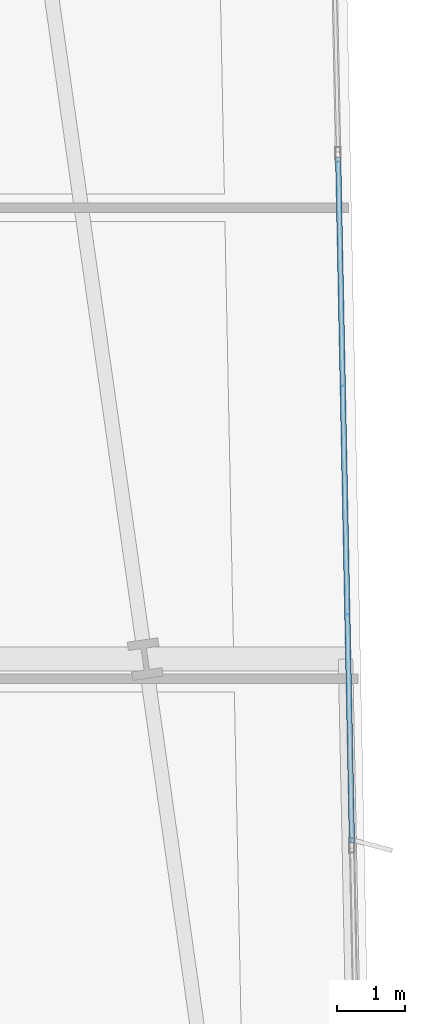
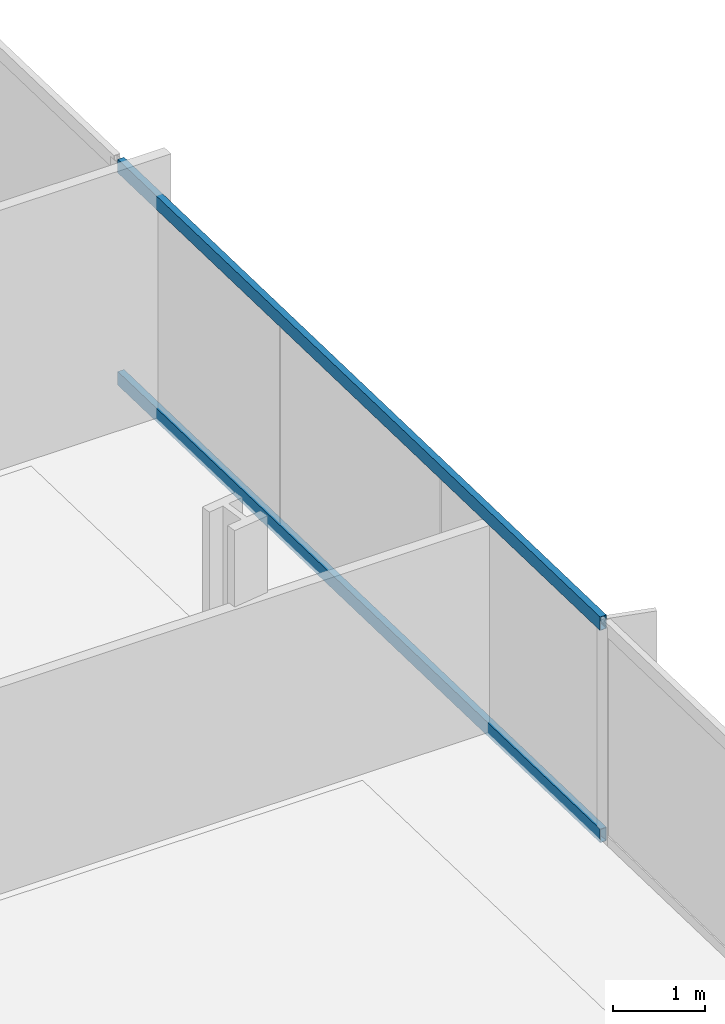
# One storey, part 15 of 35: 2 members, 1 element without a shape of its own.
"""IFC4 building model written with IfcOpenShell, lengths in metres."""

import ifcopenshell
import ifcopenshell.guid

model = None  # the IFC model being written
_history = None  # IfcOwnerHistory: only IFC2X3 demands one
_inside = {}  # id of a spatial element -> (the spatial element, [elements in it])
_under = {}  # id of a project, library or spatial element -> (it, [spatial elements below it])
_declared = {}  # id of a project -> (the project, [libraries it declares])
_typed = {}  # id of a type object -> (the type object, [elements of that type])
_made_of = {}  # id of a material, layer set ... -> (it, [elements and type objects made of it])


def new_model(schema):
    """Start an empty IFC model of exactly this schema.

    Asked for "IFC4X3", IfcOpenShell would pick the latest addendum, in which some entities
    have other attributes; the version numbers below select the first issue.
    IFC2X3 requires an IfcOwnerHistory on every rooted entity: one is made here for all.
    """
    global model, _history
    if schema == "IFC4X3":
        model = ifcopenshell.file(schema_version=(4, 3, 0, 0))
    else:
        model = ifcopenshell.file(schema=schema)
    _inside.clear()
    _under.clear()
    _declared.clear()
    _typed.clear()
    _made_of.clear()
    _history = None
    if model.schema == "IFC2X3":
        org = make("IfcOrganization", Name="unknown")
        user = make(
            "IfcPersonAndOrganization",
            ThePerson=make("IfcPerson", FamilyName="unknown"),
            TheOrganization=org,
        )
        app = make(
            "IfcApplication",
            ApplicationDeveloper=org,
            Version="unknown",
            ApplicationFullName="unknown",
            ApplicationIdentifier="unknown",
        )
        _history = make(
            "IfcOwnerHistory",
            OwningUser=user,
            OwningApplication=app,
            ChangeAction="ADDED",
            CreationDate=0,
        )
    return model


def make(cls, **values):
    """One entity of the class cls with the attributes given. An attribute that is None is left unset."""
    return model.create_entity(
        cls, **{name: value for name, value in values.items() if value is not None}
    )


def rooted(cls, **values):
    """An entity with a GlobalId (a new one), such as an element, a storey or a relation."""
    return make(cls, GlobalId=ifcopenshell.guid.new(), OwnerHistory=_history, **values)


def si_unit(unit_type, name, prefix=None):
    """IfcSIUnit, for example si_unit("LENGTHUNIT", "METRE", prefix="MILLI")."""
    return make("IfcSIUnit", UnitType=unit_type, Prefix=prefix, Name=name)


def assignment(units):
    """IfcUnitAssignment: the units of a project."""
    return None if units is None else make("IfcUnitAssignment", Units=units)


def point(xyz):
    """IfcCartesianPoint."""
    return None if xyz is None else make("IfcCartesianPoint", Coordinates=xyz)


def direction(xyz):
    """IfcDirection."""
    return None if xyz is None else make("IfcDirection", DirectionRatios=xyz)


def frame(location, z_axis=None, x_axis=None):
    """IfcAxis2Placement3D, a coordinate frame: its origin and axes. An axis left out is left unset."""
    return make(
        "IfcAxis2Placement3D",
        Location=point(location),
        Axis=direction(z_axis),
        RefDirection=direction(x_axis),
    )


def frame_2d(location, x_axis=None):
    """IfcAxis2Placement2D, a coordinate frame in the plane: its origin and x axis."""
    return make(
        "IfcAxis2Placement2D", Location=point(location), RefDirection=direction(x_axis)
    )


def origin():
    """The frame at (0, 0, 0) with its axes left unset."""
    return frame((0.0, 0.0, 0.0))


def origin_2d():
    """The frame at (0, 0) in the plane with its x axis left unset."""
    return frame_2d((0.0, 0.0))


def place(relative_to, where):
    """IfcLocalPlacement: puts the frame where relative to a parent placement (None: the world)."""
    return make(
        "IfcLocalPlacement", PlacementRelTo=relative_to, RelativePlacement=where
    )


def context(
    kind, dimensions, precision=None, world=None, true_north=None, identifier=None
):
    """IfcGeometricRepresentationContext, for example the 3D "Model" context."""
    return make(
        "IfcGeometricRepresentationContext",
        ContextIdentifier=identifier,
        ContextType=kind,
        CoordinateSpaceDimension=dimensions,
        Precision=precision,
        WorldCoordinateSystem=world,
        TrueNorth=true_north,
    )


def subcontext(parent, identifier, kind, view, scale=None):
    """IfcGeometricRepresentationSubContext, for example "Body" below "Model"."""
    return make(
        "IfcGeometricRepresentationSubContext",
        ContextIdentifier=identifier,
        ContextType=kind,
        ParentContext=parent,
        TargetScale=scale,
        TargetView=view,
    )


def project(units=None, contexts=None):
    """IfcProject with its units and contexts."""
    return rooted(
        "IfcProject",
        Name="project",
        RepresentationContexts=contexts,
        UnitsInContext=assignment(units),
    )


def spatial(cls, under=None, at=None, **own):
    """A site, building, storey or space (cls), placed at a placement, below another one or the project."""
    s = rooted(cls, ObjectPlacement=at, **own)
    if under is not None:
        _under.setdefault(under.id(), (under, []))[1].append(s)
    return s


def profile(cls, at=None, kind="AREA", **sizes):
    """A parametric profile (cls). Its sizes go by their IFC names, for example OverallWidth=200.0."""
    return make(cls, ProfileType=kind, Position=at, **sizes)


def hollow_rectangle(**sizes):
    """IfcRectangleHollowProfileDef."""
    return profile("IfcRectangleHollowProfileDef", **sizes)


def extrude(swept, where, along, depth):
    """IfcExtrudedAreaSolid: the profile swept, set in the frame where, extruded along a direction by depth."""
    return make(
        "IfcExtrudedAreaSolid",
        SweptArea=swept,
        Position=where,
        ExtrudedDirection=direction(along),
        Depth=depth,
    )


def shape(context_of_items, identifier, shape_type, items):
    """IfcShapeRepresentation: the items that make up one representation, for example the "Body"."""
    return make(
        "IfcShapeRepresentation",
        ContextOfItems=context_of_items,
        RepresentationIdentifier=identifier,
        RepresentationType=shape_type,
        Items=items,
    )


def material(Name=None, Category=None):
    """IfcMaterial."""
    return make("IfcMaterial", Name=Name, Category=Category)


def material_profile(
    of_material, cross_section, Name=None, Category=None, Priority=None
):
    """IfcMaterialProfile: a cross section and its material."""
    return make(
        "IfcMaterialProfile",
        Name=Name,
        Material=of_material,
        Profile=cross_section,
        Priority=Priority,
        Category=Category,
    )


def profile_set(profiles, Name=None, composite=None):
    """IfcMaterialProfileSet."""
    return make(
        "IfcMaterialProfileSet",
        Name=Name,
        MaterialProfiles=profiles,
        CompositeProfile=composite,
    )


def made_of(thing, what):
    """Note that an element or type object is made of a material, layer set ...; save() writes the relation."""
    if what is not None:
        _made_of.setdefault(what.id(), (what, []))[1].append(thing)
    return thing


def type_object(cls, material=None, **own):
    """A type object (cls), such as IfcWallType, which elements share."""
    return made_of(rooted(cls, **own), material)


def element(
    cls,
    number,
    at=None,
    inside=None,
    cuts=None,
    type_object=None,
    material=None,
    context=None,
    identifier="Body",
    shape_type=None,
    held_by="IfcProductDefinitionShape",
    body=None,
    shapes=None,
    **own,
):
    """One element of the class cls, such as IfcWall. Its Tag is "e" and its number.

    at: its placement. inside: the storey or other place that contains it. cuts: it is an
    opening in that element (IfcRelVoidsElement). A single representation is given by context,
    identifier, shape_type and body (its items); several are given by shapes. held_by: the class
    of the entity that holds the representations. save() writes the other relations.
    """
    e = rooted(cls, Tag="e%d" % number, ObjectPlacement=at, **own)
    if body is not None:
        shapes = [shape(context, identifier, shape_type, body)]
    if shapes is not None:
        e.Representation = make(held_by, Representations=shapes)
    if inside is not None:
        _inside.setdefault(inside.id(), (inside, []))[1].append(e)
    if cuts is not None:
        rooted(
            "IfcRelVoidsElement", RelatingBuildingElement=cuts, RelatedOpeningElement=e
        )
    if type_object is not None:
        _typed.setdefault(type_object.id(), (type_object, []))[1].append(e)
    return made_of(e, material)


def aggregate(whole, parts):
    """IfcRelAggregates: a whole, such as a stair, and the parts it consists of."""
    return rooted("IfcRelAggregates", RelatingObject=whole, RelatedObjects=parts)


def save(model, path):
    """Write the relations noted so far, then the file.

    IfcRelAggregates (storeys below a building ...), IfcRelContainedInSpatialStructure (elements
    in a storey), IfcRelDefinesByType, IfcRelAssociatesMaterial and IfcRelDeclares: one each for
    every whole, place, type object, material and project.
    """
    for whole, parts in _under.values():
        aggregate(whole, parts)
    for where, things in _inside.values():
        rooted(
            "IfcRelContainedInSpatialStructure",
            RelatedElements=things,
            RelatingStructure=where,
        )
    for kind, things in _typed.values():
        rooted("IfcRelDefinesByType", RelatedObjects=things, RelatingType=kind)
    for what, things in _made_of.values():
        rooted("IfcRelAssociatesMaterial", RelatedObjects=things, RelatingMaterial=what)
    for by, libraries in _declared.values():
        rooted("IfcRelDeclares", RelatingContext=by, RelatedDefinitions=libraries)
    model.write(path)


model = new_model("IFC4")

# Units and contexts
model_context = context("Model", 3, precision=1e-05, world=origin(), true_north=direction((0.0, 1.0)))
body_context = subcontext(model_context, "Body", "Model", "MODEL_VIEW")
ifc_project = project(units=[si_unit("LENGTHUNIT", "METRE"), si_unit("AREAUNIT", "SQUARE_METRE"), si_unit("VOLUMEUNIT", "CUBIC_METRE"), si_unit("PLANEANGLEUNIT", "RADIAN"), si_unit("MASSUNIT", "GRAM", prefix="KILO")], contexts=[model_context])

# Site, building, storey
site_placement = place(None, origin())
site = spatial("IfcSite", under=ifc_project, at=site_placement, CompositionType="ELEMENT")
building_placement = place(site_placement, origin())
building = spatial("IfcBuilding", under=site, at=building_placement, Name="Haldenkirk Collegiate Tower", CompositionType="ELEMENT")
storey_placement = place(building_placement, frame((0.0, 0.0, 32.699951171875)))
storey = spatial("IfcBuildingStorey", under=building, at=storey_placement, Name="L06", CompositionType="ELEMENT", Elevation=32.699951171875)

# Curtain wall, members
ifc_material = material(Name="Anodised architectural bronze aluminium", Category="aluminium")
curtain_wall_type = type_object("IfcCurtainWallType", Name="CW-SYS1-CONVEX-LOW", PredefinedType="USERDEFINED", material=ifc_material)
curtain_wall_placement = place(storey_placement, origin())
curtain_wall = element("IfcCurtainWall", 1, at=curtain_wall_placement, inside=storey, type_object=curtain_wall_type, Name="L06 Lower tower convex bronze-framed unitised curtain wall", ObjectType="UNITISED CURTAIN WALL", PredefinedType="USERDEFINED")
ifc_material_profile = material_profile(ifc_material, hollow_rectangle(XDim=0.080078125, YDim=0.179931640625, WallThickness=0.0048828125, at=origin_2d()), Name="CW-TRN-1A")
ifc_profile_set = profile_set([ifc_material_profile], Name="Anodised architectural bronze aluminium")
member_type = type_object("IfcMemberType", Name="CW-TRN-1A", PredefinedType="USERDEFINED", material=ifc_profile_set)
member_1_placement = place(storey_placement, frame((62.6005859375, 37.196044921875, 0.0400390625), z_axis=(0.020071722306, -0.999798542689, 0.0), x_axis=(0.999798542689, 0.020071722306, 0.0)))
member_1 = element("IfcMember", 2, at=member_1_placement, type_object=member_type, Name="CW-1A transom 2.1", ObjectType="TRANSOM", PredefinedType="USERDEFINED", context=body_context, shape_type="SweptSolid", body=[
    extrude(hollow_rectangle(XDim=0.080078125, YDim=0.179931640625, WallThickness=0.0048828125, at=origin_2d()), origin(), (0.0, 0.0, 1.0), 10.119873046875),
])
member_2_placement = place(storey_placement, frame((62.6005859375, 37.196044921875, 2.85107421875), z_axis=(0.020071722306, -0.999798542689, 0.0), x_axis=(0.999798542689, 0.020071722306, 0.0)))
member_2 = element("IfcMember", 3, at=member_2_placement, type_object=member_type, Name="CW-1A transom 2.2", ObjectType="TRANSOM", PredefinedType="USERDEFINED", context=body_context, shape_type="SweptSolid", body=[
    extrude(hollow_rectangle(XDim=0.080078125, YDim=0.179931640625, WallThickness=0.0048828125, at=origin_2d()), origin(), (0.0, 0.0, 1.0), 10.119873046875),
])
aggregate(curtain_wall, [member_1, member_2])

save(model, "model.ifc")
